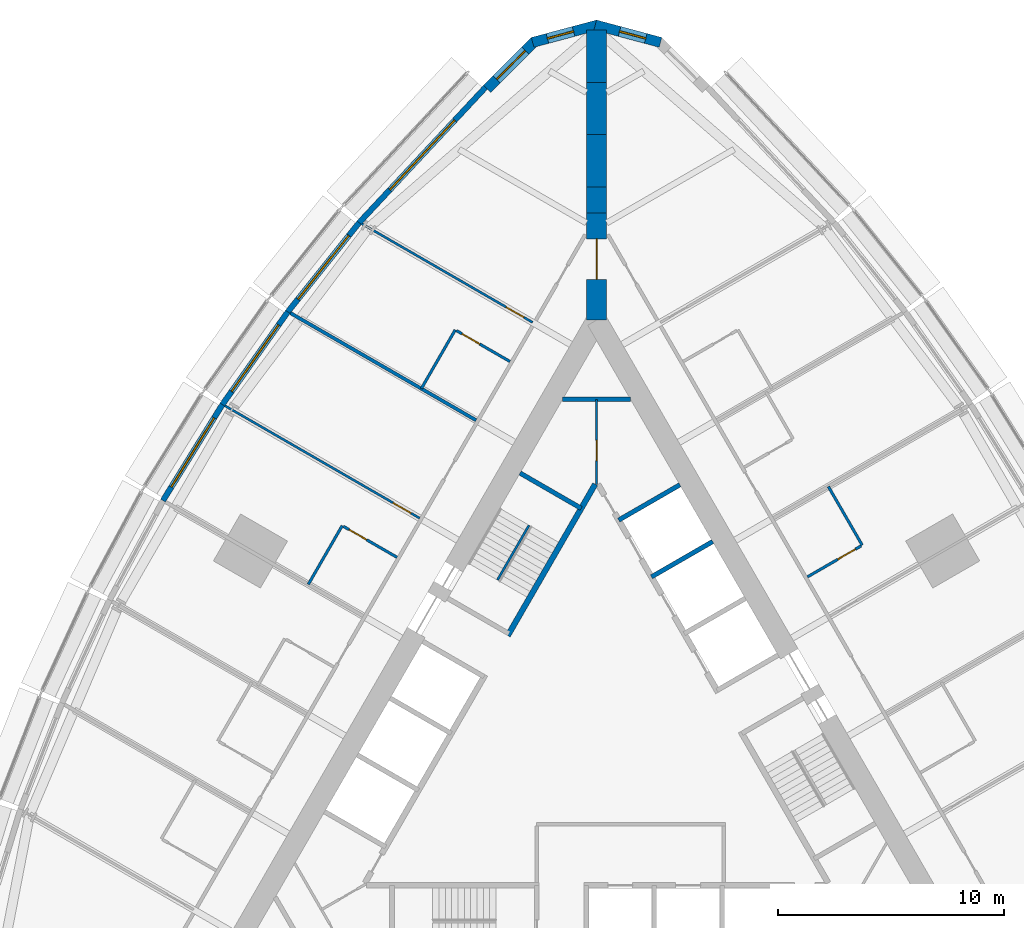
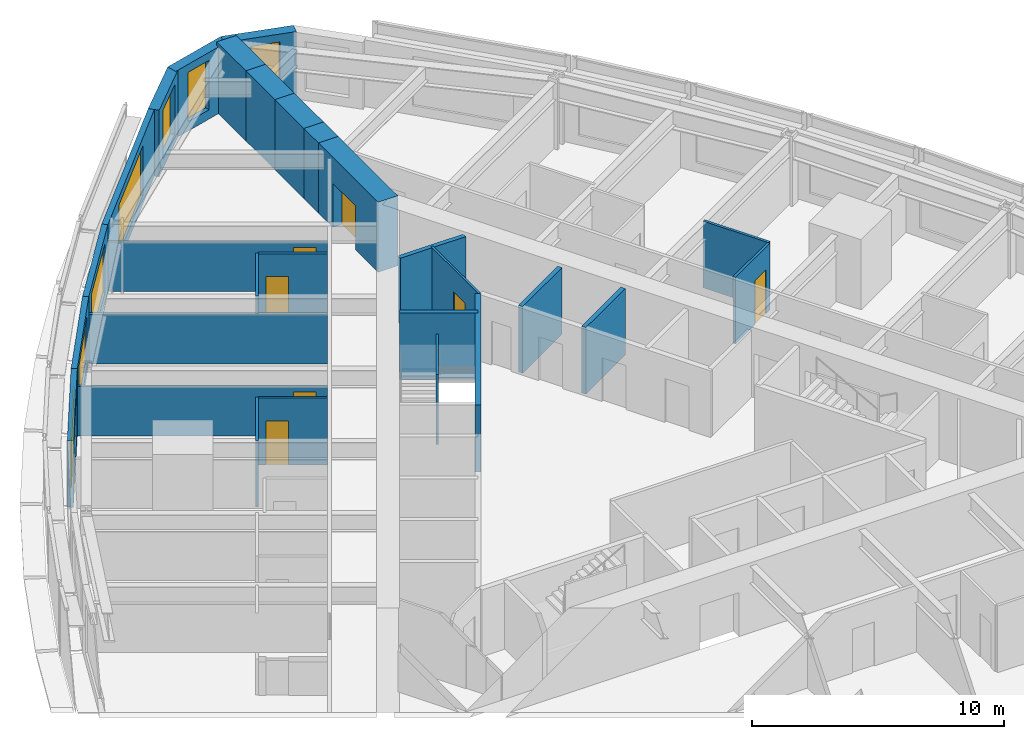
# One storey, part 12 of 14: 28 walls, 7 doors, 7 windows, 14 openings.
"""IFC4 building model written with IfcOpenShell, lengths in metres."""

from ifc_helpers import new_model, si_unit, direction, frame, frame_2d, origin, place, context, subcontext, project, spatial, polyline, rectangle, outline, extrude, material, layer, layer_set, type_object, element, fill, save


model = new_model("IFC4")

# Units and contexts
model_context = context("Model", 3, precision=1e-05, world=origin(), true_north=direction((0.0, 1.0)))
body_context = subcontext(model_context, "Body", "Model", "MODEL_VIEW")
ifc_project = project(units=[si_unit("LENGTHUNIT", "METRE"), si_unit("AREAUNIT", "SQUARE_METRE"), si_unit("VOLUMEUNIT", "CUBIC_METRE"), si_unit("PLANEANGLEUNIT", "RADIAN"), si_unit("MASSUNIT", "GRAM", prefix="KILO")], contexts=[model_context])

# Site, building, storey
site_placement = place(None, origin())
site = spatial("IfcSite", under=ifc_project, at=site_placement, CompositionType="ELEMENT")
building_placement = place(site_placement, origin())
building = spatial("IfcBuilding", under=site, at=building_placement, Name="Trikona Tower", CompositionType="ELEMENT")
storey_placement = place(building_placement, frame((0.0, 0.0, 76.10009765625)))
storey = spatial("IfcBuildingStorey", under=building, at=storey_placement, Name="L19", CompositionType="ELEMENT", Elevation=76.10009765625)

# Wall
ifc_material_1 = material(Name="Metal stud and cement board", Category="gypsum")
ifc_layer_1 = layer(ifc_material_1, 0.1201171875)
ifc_layer_set_1 = layer_set([ifc_layer_1], Name="Bathroom wall 120")
wall_type_1 = type_object("IfcWallType", Name="Bathroom wall 120", PredefinedType="PLUMBINGWALL", material=ifc_layer_set_1)
wall_1_placement = place(storey_placement, frame((11.75341796875, 9.09521484375, 0.0), z_axis=(0.0, 0.0, 1.0), x_axis=(-0.499990139034, 0.866031096941, 0.0)))
element("IfcWall", 1, at=wall_1_placement, inside=storey, type_object=wall_type_1, Name="Bathroom wall 1909.1", PredefinedType="PLUMBINGWALL", context=body_context, shape_type="SweptSolid", body=[
    extrude(rectangle(XDim=3.0, YDim=0.1201171875, at=frame_2d((1.5, 0.0))), origin(), (0.0, 0.0, 1.0), 3.23486328125),
])

# Wall, opening, door
wall_2_placement = place(storey_placement, frame((9.32861328125, 7.6953125, 0.0), z_axis=(0.0, 0.0, 1.0), x_axis=(0.866035715982, 0.499982138324, 0.0)))
wall_2 = element("IfcWall", 2, at=wall_2_placement, inside=storey, type_object=wall_type_1, Name="Bathroom wall 1909.1", PredefinedType="PLUMBINGWALL", context=body_context, shape_type="SweptSolid", body=[
    extrude(rectangle(XDim=2.73974609375, YDim=0.1201171875, at=frame_2d((1.369873046875, 0.0))), origin(), (0.0, 0.0, 1.0), 3.23486328125),
])
opening_1_placement = place(wall_2_placement, frame((1.550048828125, 0.0, 0.0)))
opening_1 = element("IfcOpeningElement", 3, at=opening_1_placement, cuts=wall_2, Name="Opening D2", PredefinedType="OPENING", context=body_context, shape_type="SweptSolid", body=[
    extrude(rectangle(XDim=0.89990234375, YDim=2.1298828125, at=frame_2d((0.449951171875, 1.06494140625))), frame((0.0, 0.070068359375, 0.0), z_axis=(0.0, -1.0, 0.0), x_axis=(1.0, 0.0, 0.0)), (0.0, 0.0, 1.0), 0.14013671875),
])
ifc_material_2 = material(Name="Steel door frame with solid-core timber leaf", Category="steel")
door_type_1 = type_object("IfcDoorType", Name="Bathroom door 900x2130", OperationType="SLIDING_TO_LEFT", PredefinedType="DOOR", material=ifc_material_2)
door_1_placement = place(opening_1_placement, origin())
door_1 = element("IfcDoor", 4, at=door_1_placement, inside=storey, type_object=door_type_1, Name="Bathroom door 1909.1", OperationType="SLIDING_TO_LEFT", OverallHeight=2.1298828125, OverallWidth=0.89990234375, PredefinedType="DOOR", context=body_context, shape_type="SweptSolid", body=[
    extrude(rectangle(XDim=0.89990234375, YDim=2.1298828125, at=frame_2d((0.449951171875, 1.06494140625))), frame((0.0, 0.02490234375, 0.0), z_axis=(0.0, -1.0, 0.0), x_axis=(1.0, 0.0, 0.0)), (0.0, 0.0, 1.0), 0.050048828125),
])
fill(opening_1, door_1)

# Wall
wall_3_placement = place(storey_placement, frame((-6.25341796875, 18.62158203125, 0.0), z_axis=(0.0, 0.0, 1.0), x_axis=(-0.499990139034, -0.866031096941, 0.0)))
element("IfcWall", 5, at=wall_3_placement, inside=storey, type_object=wall_type_1, Name="Bathroom wall 1912.1", PredefinedType="PLUMBINGWALL", context=body_context, shape_type="SweptSolid", body=[
    extrude(rectangle(XDim=3.0, YDim=0.1201171875, at=frame_2d((1.5, 0.0))), origin(), (0.0, 0.0, 1.0), 3.23486328125),
])

# Wall, opening, door
wall_4_placement = place(storey_placement, frame((-3.82861328125, 17.221435546875, 0.0), z_axis=(0.0, 0.0, 1.0), x_axis=(-0.865997131366, 0.500048966069, 0.0)))
wall_4 = element("IfcWall", 6, at=wall_4_placement, inside=storey, type_object=wall_type_1, Name="Bathroom wall 1912.1", PredefinedType="PLUMBINGWALL", context=body_context, shape_type="SweptSolid", body=[
    extrude(rectangle(XDim=2.739990234375, YDim=0.1201171875, at=frame_2d((1.3701171875, 0.0))), origin(), (0.0, 0.0, 1.0), 3.23486328125),
])
opening_2_placement = place(wall_4_placement, frame((1.550048828125, 0.0, 0.0)))
opening_2 = element("IfcOpeningElement", 7, at=opening_2_placement, cuts=wall_4, Name="Opening D2", PredefinedType="OPENING", context=body_context, shape_type="SweptSolid", body=[
    extrude(rectangle(XDim=0.89990234375, YDim=2.1298828125, at=frame_2d((0.449951171875, 1.06494140625))), frame((0.0, 0.070068359375, 0.0), z_axis=(0.0, -1.0, 0.0), x_axis=(1.0, 0.0, 0.0)), (0.0, 0.0, 1.0), 0.14013671875),
])
door_2_placement = place(opening_2_placement, origin())
door_2 = element("IfcDoor", 8, at=door_2_placement, inside=storey, type_object=door_type_1, Name="Bathroom door 1912.1", OperationType="SLIDING_TO_LEFT", OverallHeight=2.1298828125, OverallWidth=0.89990234375, PredefinedType="DOOR", context=body_context, shape_type="SweptSolid", body=[
    extrude(rectangle(XDim=0.89990234375, YDim=2.1298828125, at=frame_2d((0.449951171875, 1.06494140625))), frame((0.0, 0.02490234375, 0.0), z_axis=(0.0, -1.0, 0.0), x_axis=(1.0, 0.0, 0.0)), (0.0, 0.0, 1.0), 0.050048828125),
])
fill(opening_2, door_2)

# Wall
wall_5_placement = place(storey_placement, frame((-11.25341796875, 9.961181640625, 0.0), z_axis=(0.0, 0.0, 1.0), x_axis=(-0.499990139034, -0.866031096941, 0.0)))
element("IfcWall", 9, at=wall_5_placement, inside=storey, type_object=wall_type_1, Name="Bathroom wall 1913.1", PredefinedType="PLUMBINGWALL", context=body_context, shape_type="SweptSolid", body=[
    extrude(rectangle(XDim=3.0, YDim=0.1201171875, at=frame_2d((1.5, 0.0))), origin(), (0.0, 0.0, 1.0), 3.23486328125),
])

# Wall, opening, door
wall_6_placement = place(storey_placement, frame((-8.82861328125, 8.561279296875, 0.0), z_axis=(0.0, 0.0, 1.0), x_axis=(-0.866035715982, 0.499982138324, 0.0)))
wall_6 = element("IfcWall", 10, at=wall_6_placement, inside=storey, type_object=wall_type_1, Name="Bathroom wall 1913.1", PredefinedType="PLUMBINGWALL", context=body_context, shape_type="SweptSolid", body=[
    extrude(rectangle(XDim=2.73974609375, YDim=0.1201171875, at=frame_2d((1.369873046875, 0.0))), origin(), (0.0, 0.0, 1.0), 3.23486328125),
])
opening_3_placement = place(wall_6_placement, frame((1.550048828125, 0.0, 0.0)))
opening_3 = element("IfcOpeningElement", 11, at=opening_3_placement, cuts=wall_6, Name="Opening D2", PredefinedType="OPENING", context=body_context, shape_type="SweptSolid", body=[
    extrude(rectangle(XDim=0.89990234375, YDim=2.1298828125, at=frame_2d((0.449951171875, 1.06494140625))), frame((0.0, 0.070068359375, 0.0), z_axis=(0.0, -1.0, 0.0), x_axis=(1.0, 0.0, 0.0)), (0.0, 0.0, 1.0), 0.14013671875),
])
door_3_placement = place(opening_3_placement, origin())
door_3 = element("IfcDoor", 12, at=door_3_placement, inside=storey, type_object=door_type_1, Name="Bathroom door 1913.1", OperationType="SLIDING_TO_LEFT", OverallHeight=2.1298828125, OverallWidth=0.89990234375, PredefinedType="DOOR", context=body_context, shape_type="SweptSolid", body=[
    extrude(rectangle(XDim=0.89990234375, YDim=2.1298828125, at=frame_2d((0.449951171875, 1.06494140625))), frame((0.0, 0.02490234375, 0.0), z_axis=(0.0, -1.0, 0.0), x_axis=(1.0, 0.0, 0.0)), (0.0, 0.0, 1.0), 0.050048828125),
])
fill(opening_3, door_3)

# Wall, opening, window
ifc_material_3 = material(Name="Brick-faced precast concrete", Category="masonry")
ifc_layer_2 = layer(ifc_material_3, 0.449951171875)
ifc_layer_set_2 = layer_set([ifc_layer_2], Name="Brick-faced corner wall 450")
wall_type_2 = type_object("IfcWallType", Name="Brick-faced corner wall 450", PredefinedType="SOLIDWALL", material=ifc_layer_set_2)
wall_7_placement = place(storey_placement, frame((2.82861328125, 31.3408203125, 0.0), z_axis=(0.0, 0.0, 1.0), x_axis=(-0.965930548995, 0.258801419081, 0.0)))
wall_7 = element("IfcWall", 13, at=wall_7_placement, inside=storey, type_object=wall_type_2, Name="External wall L19-21", PredefinedType="SOLIDWALL", context=body_context, shape_type="SweptSolid", body=[
    extrude(outline(polyline([(2.988525390625, 0.22509765625), (2.92919921875, 0.22509765625), (2.4375, 0.09326171875), (2.40234375, 0.22509765625), (0.0, 0.22509765625), (0.0, -0.22509765625), (2.988525390625, -0.22509765625), (2.988525390625, 0.22509765625)])), origin(), (0.0, 0.0, 1.0), 3.23486328125),
])
opening_4_placement = place(wall_7_placement, frame((0.676025390625, 0.0, 0.449951171875)))
opening_4 = element("IfcOpeningElement", 14, at=opening_4_placement, cuts=wall_7, Name="Opening W1224", PredefinedType="OPENING", context=body_context, shape_type="SweptSolid", body=[
    extrude(rectangle(XDim=1.199951171875, YDim=2.39990234375, at=frame_2d((0.60009765625, 1.199951171875))), frame((0.0, 0.23486328125, 0.0), z_axis=(0.0, -1.0, 0.0), x_axis=(1.0, 0.0, 0.0)), (0.0, 0.0, 1.0), 0.469970703125),
])
ifc_material_4 = material(Name="Aluminium-framed double glazing", Category="aluminium")
window_type_1 = type_object("IfcWindowType", Name="Window 1200x2400", PartitioningType="SINGLE_PANEL", PredefinedType="WINDOW", material=ifc_material_4)
window_1_placement = place(opening_4_placement, origin())
window_1 = element("IfcWindow", 15, at=window_1_placement, inside=storey, type_object=window_type_1, Name="Window 1911", OverallHeight=2.39990234375, OverallWidth=1.199951171875, PartitioningType="SINGLE_PANEL", PredefinedType="WINDOW", context=body_context, shape_type="SweptSolid", body=[
    extrude(rectangle(XDim=1.199951171875, YDim=2.39990234375, at=frame_2d((0.60009765625, 1.199951171875))), frame((0.0, 0.030029296875, 0.0), z_axis=(0.0, -1.0, 0.0), x_axis=(1.0, 0.0, 0.0)), (0.0, 0.0, 1.0), 0.06005859375),
])
fill(opening_4, window_1)

wall_8_placement = place(storey_placement, frame((0.05810546875, 32.1142578125, 0.0), z_axis=(0.0, 0.0, 1.0), x_axis=(-0.965930548995, -0.258801419081, 0.0)))
wall_8 = element("IfcWall", 16, at=wall_8_placement, inside=storey, type_object=wall_type_2, Name="External wall L19-22", PredefinedType="SOLIDWALL", context=body_context, shape_type="SweptSolid", body=[
    extrude(outline(polyline([(2.988525390625, 0.22509765625), (0.58642578125, 0.22509765625), (0.551025390625, 0.09326171875), (0.059326171875, 0.22509765625), (0.0, 0.22509765625), (0.0, -0.22509765625), (2.988525390625, -0.22509765625), (2.988525390625, 0.22509765625)])), origin(), (0.0, 0.0, 1.0), 3.23486328125),
])
opening_5_placement = place(wall_8_placement, frame((1.112548828125, 0.0, 0.449951171875)))
opening_5 = element("IfcOpeningElement", 17, at=opening_5_placement, cuts=wall_8, Name="Opening W1224", PredefinedType="OPENING", context=body_context, shape_type="SweptSolid", body=[
    extrude(rectangle(XDim=1.199951171875, YDim=2.39990234375, at=frame_2d((0.60009765625, 1.199951171875))), frame((0.0, 0.23486328125, 0.0), z_axis=(0.0, -1.0, 0.0), x_axis=(1.0, 0.0, 0.0)), (0.0, 0.0, 1.0), 0.469970703125),
])
window_2_placement = place(opening_5_placement, origin())
window_2 = element("IfcWindow", 18, at=window_2_placement, inside=storey, type_object=window_type_1, Name="Window 1912", OverallHeight=2.39990234375, OverallWidth=1.199951171875, PartitioningType="SINGLE_PANEL", PredefinedType="WINDOW", context=body_context, shape_type="SweptSolid", body=[
    extrude(rectangle(XDim=1.199951171875, YDim=2.39990234375, at=frame_2d((0.60009765625, 1.199951171875))), frame((0.0, 0.030029296875, 0.0), z_axis=(0.0, -1.0, 0.0), x_axis=(1.0, 0.0, 0.0)), (0.0, 0.0, 1.0), 0.06005859375),
])
fill(opening_5, window_2)

wall_9_placement = place(storey_placement, frame((-2.727783203125, 31.39892578125, 0.0), z_axis=(0.0, 0.0, 1.0), x_axis=(-0.707106781187, -0.707106781187, 0.0)))
wall_9 = element("IfcWall", 19, at=wall_9_placement, inside=storey, type_object=wall_type_2, Name="External wall L19-23", PredefinedType="SOLIDWALL", context=body_context, shape_type="SweptSolid", body=[
    extrude(rectangle(XDim=2.98828125, YDim=0.449951171875, at=frame_2d((1.494140625, 0.0))), origin(), (0.0, 0.0, 1.0), 3.23486328125),
])
opening_6_placement = place(wall_9_placement, frame((0.59423828125, 0.0, 0.449951171875)))
opening_6 = element("IfcOpeningElement", 20, at=opening_6_placement, cuts=wall_9, Name="Opening W1824", PredefinedType="OPENING", context=body_context, shape_type="SweptSolid", body=[
    extrude(rectangle(XDim=1.800048828125, YDim=2.39990234375, at=frame_2d((0.89990234375, 1.199951171875))), frame((0.0, 0.23486328125, 0.0), z_axis=(0.0, -1.0, 0.0), x_axis=(1.0, 0.0, 0.0)), (0.0, 0.0, 1.0), 0.469970703125),
])
ifc_material_5 = material(Name="Aluminium-framed double glazing", Category="aluminium")
window_type_2 = type_object("IfcWindowType", Name="Window 1800x2400", PartitioningType="SINGLE_PANEL", PredefinedType="WINDOW", material=ifc_material_5)
window_3_placement = place(opening_6_placement, origin())
window_3 = element("IfcWindow", 21, at=window_3_placement, inside=storey, type_object=window_type_2, Name="Window 1912", OverallHeight=2.39990234375, OverallWidth=1.800048828125, PartitioningType="SINGLE_PANEL", PredefinedType="WINDOW", context=body_context, shape_type="SweptSolid", body=[
    extrude(rectangle(XDim=1.800048828125, YDim=2.39990234375, at=frame_2d((0.89990234375, 1.199951171875))), frame((0.0, 0.030029296875, 0.0), z_axis=(0.0, -1.0, 0.0), x_axis=(1.0, 0.0, 0.0)), (0.0, 0.0, 1.0), 0.06005859375),
])
fill(opening_6, window_3)

# Wall, opening, door
ifc_material_6 = material(Name="Concrete f'c 10000 psi", Category="concrete")
ifc_layer_3 = layer(ifc_material_6, 0.89990234375)
ifc_layer_set_3 = layer_set([ifc_layer_3], Name="Buttress wall 900")
wall_type_3 = type_object("IfcWallType", Name="Buttress wall 900", PredefinedType="SHEAR", material=ifc_layer_set_3)
wall_10_placement = place(storey_placement, frame((0.0, 19.052490234375, 0.0), z_axis=(0.0, 0.0, 1.0), x_axis=(0.0, 1.0, 0.0)))
wall_10 = element("IfcWall", 22, at=wall_10_placement, inside=storey, type_object=wall_type_3, Name="Buttress wall 2", PredefinedType="SHEAR", context=body_context, shape_type="SweptSolid", body=[
    extrude(rectangle(XDim=4.74609375, YDim=0.89990234375, at=frame_2d((2.373046875, 0.0))), origin(), (0.0, 0.0, 1.0), 3.39990234375),
])
opening_7_placement = place(wall_10_placement, frame((1.800048828125, 0.0, 0.0)))
opening_7 = element("IfcOpeningElement", 23, at=opening_7_placement, cuts=wall_10, Name="Opening D10", PredefinedType="OPENING", context=body_context, shape_type="SweptSolid", body=[
    extrude(rectangle(XDim=1.800048828125, YDim=2.1298828125, at=frame_2d((0.89990234375, 1.06494140625))), frame((0.0, 0.4599609375, 0.0), z_axis=(0.0, -1.0, 0.0), x_axis=(1.0, 0.0, 0.0)), (0.0, 0.0, 1.0), 0.919921875),
])
ifc_material_7 = material(Name="Hollow metal door and frame", Category="steel")
door_type_2 = type_object("IfcDoorType", Name="Cross-corridor door pair 1800x2130", OperationType="DOUBLE_DOOR_DOUBLE_SWING", PredefinedType="DOOR", material=ifc_material_7)
door_4_placement = place(opening_7_placement, origin())
door_4 = element("IfcDoor", 24, at=door_4_placement, inside=storey, type_object=door_type_2, Name="Cross-corridor door 2", OperationType="DOUBLE_DOOR_DOUBLE_SWING", OverallHeight=2.1298828125, OverallWidth=1.800048828125, PredefinedType="DOOR", context=body_context, shape_type="SweptSolid", body=[
    extrude(rectangle(XDim=1.800048828125, YDim=2.1298828125, at=frame_2d((0.89990234375, 1.06494140625))), frame((0.0, 0.02490234375, 0.0), z_axis=(0.0, -1.0, 0.0), x_axis=(1.0, 0.0, 0.0)), (0.0, 0.0, 1.0), 0.050048828125),
])
fill(opening_7, door_4)

# Walls
wall_11_placement = place(storey_placement, frame((0.0, 23.798583984375, 0.0), z_axis=(0.0, 0.0, 1.0), x_axis=(0.0, 1.0, 0.0)))
element("IfcWall", 25, at=wall_11_placement, inside=storey, type_object=wall_type_3, Name="Buttress wall 2 part 2", PredefinedType="SHEAR", context=body_context, shape_type="SweptSolid", body=[
    extrude(rectangle(XDim=1.15478515625, YDim=0.89990234375, at=frame_2d((0.577392578125, 0.0))), origin(), (0.0, 0.0, 1.0), 3.39990234375),
])
wall_12_placement = place(storey_placement, frame((0.0, 24.953369140625, 0.0), z_axis=(0.0, 0.0, 1.0), x_axis=(0.0, 1.0, 0.0)))
element("IfcWall", 26, at=wall_12_placement, inside=storey, type_object=wall_type_3, Name="Buttress wall 2 part 3", PredefinedType="SHEAR", context=body_context, shape_type="SweptSolid", body=[
    extrude(rectangle(XDim=2.309326171875, YDim=0.89990234375, at=frame_2d((1.15478515625, 0.0))), origin(), (0.0, 0.0, 1.0), 3.39990234375),
])
wall_13_placement = place(storey_placement, frame((0.0, 27.2626953125, 0.0), z_axis=(0.0, 0.0, 1.0), x_axis=(0.0, 1.0, 0.0)))
element("IfcWall", 27, at=wall_13_placement, inside=storey, type_object=wall_type_3, Name="Buttress wall 2 part 4", PredefinedType="SHEAR", context=body_context, shape_type="SweptSolid", body=[
    extrude(rectangle(XDim=2.3095703125, YDim=0.89990234375, at=frame_2d((1.15478515625, 0.0))), origin(), (0.0, 0.0, 1.0), 3.39990234375),
])
wall_14_placement = place(storey_placement, frame((0.0, 29.572265625, 0.0), z_axis=(0.0, 0.0, 1.0), x_axis=(0.0, 1.0, 0.0)))
element("IfcWall", 28, at=wall_14_placement, inside=storey, type_object=wall_type_3, Name="Buttress wall 2 part 5", PredefinedType="SHEAR", context=body_context, shape_type="SweptSolid", body=[
    extrude(rectangle(XDim=2.309326171875, YDim=0.89990234375, at=frame_2d((1.15478515625, 0.0))), origin(), (0.0, 0.0, 1.0), 3.39990234375),
])
ifc_material_8 = material(Name="Concrete f'c 8000 psi", Category="concrete")
ifc_layer_4 = layer(ifc_material_8, 0.25)
ifc_layer_set_4 = layer_set([ifc_layer_4], Name="Hub wall 250")
wall_type_4 = type_object("IfcWallType", Name="Hub wall 250", PredefinedType="SOLIDWALL", material=ifc_layer_set_4)
wall_15_placement = place(storey_placement, frame((-0.0625, 11.794189453125, 0.0), z_axis=(0.0, 0.0, 1.0), x_axis=(-0.500006680225, -0.86602154692, 0.0)))
element("IfcWall", 29, at=wall_15_placement, inside=storey, type_object=wall_type_4, Name="Lift lobby wall C1", PredefinedType="SOLIDWALL", context=body_context, shape_type="SweptSolid", body=[
    extrude(rectangle(XDim=7.73291015625, YDim=0.25, at=frame_2d((3.866455078125, 0.0))), origin(), (0.0, 0.0, 1.0), 3.23486328125),
])

# Wall, opening, window
ifc_material_9 = material(Name="Insulated precast concrete spandrel panel", Category="concrete")
ifc_layer_5 = layer(ifc_material_9, 0.25)
ifc_layer_set_5 = layer_set([ifc_layer_5], Name="Inner skin wall 250")
wall_type_5 = type_object("IfcWallType", Name="Inner skin wall 250", PredefinedType="STANDARD", material=ifc_layer_set_5)
wall_16_placement = place(storey_placement, frame((-4.90869140625, 29.359619140625, 0.0), z_axis=(0.0, 0.0, 1.0), x_axis=(-0.682289646561, -0.731081964075, 0.0)))
wall_16 = element("IfcWall", 30, at=wall_16_placement, inside=storey, type_object=wall_type_5, Name="External wall L19-24", PredefinedType="STANDARD", context=body_context, shape_type="SweptSolid", body=[
    extrude(rectangle(XDim=8.2109375, YDim=0.25, at=frame_2d((4.10546875, 0.0))), origin(), (0.0, 0.0, 1.0), 3.23486328125),
])
opening_8_placement = place(wall_16_placement, frame((2.005615234375, 0.0, 0.449951171875)))
opening_8 = element("IfcOpeningElement", 31, at=opening_8_placement, cuts=wall_16, Name="Opening W4224", PredefinedType="OPENING", context=body_context, shape_type="SweptSolid", body=[
    extrude(rectangle(XDim=4.199951171875, YDim=2.39990234375, at=frame_2d((2.10009765625, 1.199951171875))), frame((0.0, 0.135009765625, 0.0), z_axis=(0.0, -1.0, 0.0), x_axis=(1.0, 0.0, 0.0)), (0.0, 0.0, 1.0), 0.27001953125),
])
ifc_material_10 = material(Name="Aluminium-framed double glazing", Category="aluminium")
window_type_3 = type_object("IfcWindowType", Name="Window 4200x2400", PartitioningType="SINGLE_PANEL", PredefinedType="WINDOW", material=ifc_material_10)
window_4_placement = place(opening_8_placement, origin())
window_4 = element("IfcWindow", 32, at=window_4_placement, inside=storey, type_object=window_type_3, Name="Window 1912", OverallHeight=2.39990234375, OverallWidth=4.199951171875, PartitioningType="SINGLE_PANEL", PredefinedType="WINDOW", context=body_context, shape_type="SweptSolid", body=[
    extrude(rectangle(XDim=4.199951171875, YDim=2.39990234375, at=frame_2d((2.10009765625, 1.199951171875))), frame((0.0, 0.030029296875, 0.0), z_axis=(0.0, -1.0, 0.0), x_axis=(1.0, 0.0, 0.0)), (0.0, 0.0, 1.0), 0.06005859375),
])
fill(opening_8, window_4)

wall_17_placement = place(storey_placement, frame((-10.5048828125, 23.36376953125, 0.0), z_axis=(0.0, 0.0, 1.0), x_axis=(-0.624594965756, -0.780948864364, 0.0)))
wall_17 = element("IfcWall", 33, at=wall_17_placement, inside=storey, type_object=wall_type_5, Name="External wall L19-25", PredefinedType="STANDARD", context=body_context, shape_type="SweptSolid", body=[
    extrude(rectangle(XDim=5.0576171875, YDim=0.25, at=frame_2d((2.52880859375, 0.0))), origin(), (0.0, 0.0, 1.0), 3.23486328125),
])
opening_9_placement = place(wall_17_placement, frame((0.728759765625, 0.0, 0.449951171875)))
opening_9 = element("IfcOpeningElement", 34, at=opening_9_placement, cuts=wall_17, Name="Opening W3624", PredefinedType="OPENING", context=body_context, shape_type="SweptSolid", body=[
    extrude(rectangle(XDim=3.60009765625, YDim=2.39990234375, at=frame_2d((1.800048828125, 1.199951171875))), frame((0.0, 0.135009765625, 0.0), z_axis=(0.0, -1.0, 0.0), x_axis=(1.0, 0.0, 0.0)), (0.0, 0.0, 1.0), 0.27001953125),
])
ifc_material_11 = material(Name="Aluminium-framed double glazing", Category="aluminium")
window_type_4 = type_object("IfcWindowType", Name="Window 3600x2400", PartitioningType="SINGLE_PANEL", PredefinedType="WINDOW", material=ifc_material_11)
window_5_placement = place(opening_9_placement, origin())
window_5 = element("IfcWindow", 35, at=window_5_placement, inside=storey, type_object=window_type_4, Name="Window 1912.1", OverallHeight=2.39990234375, OverallWidth=3.60009765625, PartitioningType="SINGLE_PANEL", PredefinedType="WINDOW", context=body_context, shape_type="SweptSolid", body=[
    extrude(rectangle(XDim=3.60009765625, YDim=2.39990234375, at=frame_2d((1.800048828125, 1.199951171875))), frame((0.0, 0.030029296875, 0.0), z_axis=(0.0, -1.0, 0.0), x_axis=(1.0, 0.0, 0.0)), (0.0, 0.0, 1.0), 0.06005859375),
])
fill(opening_9, window_5)

wall_18_placement = place(storey_placement, frame((-13.659423828125, 19.420166015625, 0.0), z_axis=(0.0, 0.0, 1.0), x_axis=(-0.5766431066, -0.81699616132, 0.0)))
wall_18 = element("IfcWall", 36, at=wall_18_placement, inside=storey, type_object=wall_type_5, Name="External wall L19-26", PredefinedType="STANDARD", context=body_context, shape_type="SweptSolid", body=[
    extrude(rectangle(XDim=5.02099609375, YDim=0.25, at=frame_2d((2.510498046875, 0.0))), origin(), (0.0, 0.0, 1.0), 3.23486328125),
])
opening_10_placement = place(wall_18_placement, frame((0.71044921875, 0.0, 0.449951171875)))
opening_10 = element("IfcOpeningElement", 37, at=opening_10_placement, cuts=wall_18, Name="Opening W3624", PredefinedType="OPENING", context=body_context, shape_type="SweptSolid", body=[
    extrude(rectangle(XDim=3.60009765625, YDim=2.39990234375, at=frame_2d((1.800048828125, 1.199951171875))), frame((0.0, 0.135009765625, 0.0), z_axis=(0.0, -1.0, 0.0), x_axis=(1.0, 0.0, 0.0)), (0.0, 0.0, 1.0), 0.27001953125),
])
window_6_placement = place(opening_10_placement, origin())
window_6 = element("IfcWindow", 38, at=window_6_placement, inside=storey, type_object=window_type_4, Name="Window 1913", OverallHeight=2.39990234375, OverallWidth=3.60009765625, PartitioningType="SINGLE_PANEL", PredefinedType="WINDOW", context=body_context, shape_type="SweptSolid", body=[
    extrude(rectangle(XDim=3.60009765625, YDim=2.39990234375, at=frame_2d((1.800048828125, 1.199951171875))), frame((0.0, 0.030029296875, 0.0), z_axis=(0.0, -1.0, 0.0), x_axis=(1.0, 0.0, 0.0)), (0.0, 0.0, 1.0), 0.06005859375),
])
fill(opening_10, window_6)

wall_19_placement = place(storey_placement, frame((-16.550537109375, 15.324462890625, 0.0), z_axis=(0.0, 0.0, 1.0), x_axis=(-0.526132807704, -0.850402415717, 0.0)))
wall_19 = element("IfcWall", 39, at=wall_19_placement, inside=storey, type_object=wall_type_5, Name="External wall L19-27", PredefinedType="STANDARD", context=body_context, shape_type="SweptSolid", body=[
    extrude(rectangle(XDim=5.002197265625, YDim=0.25, at=frame_2d((2.5009765625, 0.0))), origin(), (0.0, 0.0, 1.0), 3.23486328125),
])
opening_11_placement = place(wall_19_placement, frame((0.701171875, 0.0, 0.449951171875)))
opening_11 = element("IfcOpeningElement", 40, at=opening_11_placement, cuts=wall_19, Name="Opening W3624", PredefinedType="OPENING", context=body_context, shape_type="SweptSolid", body=[
    extrude(rectangle(XDim=3.60009765625, YDim=2.39990234375, at=frame_2d((1.800048828125, 1.199951171875))), frame((0.0, 0.135009765625, 0.0), z_axis=(0.0, -1.0, 0.0), x_axis=(1.0, 0.0, 0.0)), (0.0, 0.0, 1.0), 0.27001953125),
])
window_7_placement = place(opening_11_placement, origin())
window_7 = element("IfcWindow", 41, at=window_7_placement, inside=storey, type_object=window_type_4, Name="Window 1913.1", OverallHeight=2.39990234375, OverallWidth=3.60009765625, PartitioningType="SINGLE_PANEL", PredefinedType="WINDOW", context=body_context, shape_type="SweptSolid", body=[
    extrude(rectangle(XDim=3.60009765625, YDim=2.39990234375, at=frame_2d((1.800048828125, 1.199951171875))), frame((0.0, 0.030029296875, 0.0), z_axis=(0.0, -1.0, 0.0), x_axis=(1.0, 0.0, 0.0)), (0.0, 0.0, 1.0), 0.06005859375),
])
fill(opening_11, window_7)

# Walls
ifc_material_12 = material(Name="Metal stud and gypsum board, 1-hour acoustic", Category="gypsum")
ifc_layer_6 = layer(ifc_material_12, 0.14990234375)
ifc_layer_set_6 = layer_set([ifc_layer_6], Name="Party wall 150")
wall_type_6 = type_object("IfcWallType", Name="Party wall 150", PredefinedType="PARTITIONING", material=ifc_layer_set_6)
wall_20_placement = place(storey_placement, frame((-5.32861328125, 14.623291015625, 0.0), z_axis=(0.0, 0.0, 1.0), x_axis=(-0.866018409083, 0.500012114982, 0.0)))
element("IfcWall", 42, at=wall_20_placement, inside=storey, type_object=wall_type_6, Name="Partition L19 F3 u-10", PredefinedType="PARTITIONING", context=body_context, shape_type="SweptSolid", body=[
    extrude(rectangle(XDim=9.484619140625, YDim=0.14990234375, at=frame_2d((4.7421875, 0.0))), origin(), (0.0, 0.0, 1.0), 2.38916015625),
])
ifc_material_13 = material(Name="Concrete f'c 8000 psi", Category="concrete")
ifc_layer_7 = layer(ifc_material_13, 0.199951171875)
ifc_layer_set_7 = layer_set([ifc_layer_7], Name="Shaft wall 200")
wall_type_7 = type_object("IfcWallType", Name="Shaft wall 200", PredefinedType="SOLIDWALL", material=ifc_layer_set_7)
for number, where, z_axis, x_axis, name in (
    (43, (2.428955078125, 7.695556640625, 0.0), (0.0, 0.0, 1.0), (0.866022959057, 0.500004234368, 0.0), "Shaft wall B5"),
    (44, (0.97900390625, 10.20703125, 0.0), (0.0, 0.0, 1.0), (0.866022959057, 0.500004234368, 0.0), "Shaft wall B6"),
):
    element("IfcWall", number, at=place(storey_placement, frame(where, z_axis=z_axis, x_axis=x_axis)), inside=storey, type_object=wall_type_7, Name=name, PredefinedType="SOLIDWALL", context=body_context, shape_type="SweptSolid", body=[
        extrude(rectangle(XDim=3.125, YDim=0.199951171875, at=frame_2d((1.5625, 0.0))), origin(), (0.0, 0.0, 1.0), 3.23486328125),
    ])
wall_21_placement = place(storey_placement, frame((-1.501220703125, 15.552490234375, 0.0), z_axis=(0.0, 0.0, 1.0), x_axis=(1.0, 0.0, 0.0)))
element("IfcWall", 45, at=wall_21_placement, inside=storey, type_object=wall_type_7, Name="Riser wall L19-RS2", PredefinedType="SOLIDWALL", context=body_context, shape_type="SweptSolid", body=[
    extrude(rectangle(XDim=3.00244140625, YDim=0.199951171875, at=frame_2d((1.501220703125, 0.0))), origin(), (0.0, 0.0, 1.0), 3.23486328125),
])
ifc_material_14 = material(Name="Concrete f'c 8000 psi", Category="concrete")
ifc_layer_8 = layer(ifc_material_14, 0.199951171875)
ifc_layer_set_8 = layer_set([ifc_layer_8], Name="Shaft wall 200 load-bearing")
wall_type_8 = type_object("IfcWallType", Name="Shaft wall 200 load-bearing", PredefinedType="SOLIDWALL", material=ifc_layer_set_8)
wall_22_placement = place(storey_placement, frame((-0.678955078125, 10.7265625, 0.0), z_axis=(0.0, 0.0, 1.0), x_axis=(-0.866022959057, 0.500004234368, 0.0)))
element("IfcWall", 46, at=wall_22_placement, inside=storey, type_object=wall_type_8, Name="Shaft wall C1", PredefinedType="SOLIDWALL", context=body_context, shape_type="SweptSolid", body=[
    extrude(rectangle(XDim=3.125, YDim=0.199951171875, at=frame_2d((1.5625, 0.0))), origin(), (0.0, 0.0, 1.0), 3.23486328125),
])
ifc_material_15 = material(Name="Concrete f'c 5000 psi", Category="concrete")
ifc_layer_9 = layer(ifc_material_15, 0.10009765625)
ifc_layer_set_9 = layer_set([ifc_layer_9], Name="Stair spine wall 100")
wall_type_9 = type_object("IfcWallType", Name="Stair spine wall 100", PredefinedType="SOLIDWALL", material=ifc_layer_set_9)
wall_23_placement = place(storey_placement, frame((-2.98779296875, 9.9775390625, 0.0), z_axis=(0.0, 0.0, 1.0), x_axis=(-0.499992232847, -0.866029888106, 0.0)))
element("IfcWall", 47, at=wall_23_placement, inside=storey, type_object=wall_type_9, Name="Stair C spine wall L19", PredefinedType="SOLIDWALL", context=body_context, shape_type="SweptSolid", body=[
    extrude(rectangle(XDim=2.7939453125, YDim=0.10009765625, at=frame_2d((1.39697265625, 0.0))), origin(), (0.0, 0.0, 1.0), 3.39990234375),
])

# Wall, opening, door
ifc_material_16 = material(Name="Metal stud and gypsum board, acoustic", Category="gypsum")
ifc_layer_10 = layer(ifc_material_16, 0.10009765625)
ifc_layer_set_10 = layer_set([ifc_layer_10], Name="Suite partition 100")
wall_type_10 = type_object("IfcWallType", Name="Suite partition 100", PredefinedType="PARTITIONING", material=ifc_layer_set_10)
wall_24_placement = place(storey_placement, frame((-2.82861328125, 18.95361328125, 0.0), z_axis=(0.0, 0.0, 1.0), x_axis=(-0.866020536561, 0.500008430184, 0.0)))
wall_24 = element("IfcWall", 48, at=wall_24_placement, inside=storey, type_object=wall_type_10, Name="Suite partition L19 F3 u-15", PredefinedType="PARTITIONING", context=body_context, shape_type="SweptSolid", body=[
    extrude(rectangle(XDim=8.719970703125, YDim=0.10009765625, at=frame_2d((4.35986328125, 0.0))), origin(), (0.0, 0.0, 1.0), 2.38916015625),
])
opening_12_placement = place(wall_24_placement, frame((0.449951171875, 0.0, 0.0)))
opening_12 = element("IfcOpeningElement", 49, at=opening_12_placement, cuts=wall_24, Name="Opening D13", PredefinedType="OPENING", context=body_context, shape_type="SweptSolid", body=[
    extrude(rectangle(XDim=0.89990234375, YDim=2.1298828125, at=frame_2d((0.449951171875, 1.06494140625))), frame((0.0, 0.06005859375, 0.0), z_axis=(0.0, -1.0, 0.0), x_axis=(1.0, 0.0, 0.0)), (0.0, 0.0, 1.0), 0.1201171875),
])
ifc_material_17 = material(Name="Steel door frame with solid-core timber leaf", Category="steel")
door_type_3 = type_object("IfcDoorType", Name="Suite door 900x2130", OperationType="SINGLE_SWING_LEFT", PredefinedType="DOOR", material=ifc_material_17)
door_5_placement = place(opening_12_placement, origin())
door_5 = element("IfcDoor", 50, at=door_5_placement, inside=storey, type_object=door_type_3, Name="Suite door 1912", OperationType="SINGLE_SWING_LEFT", OverallHeight=2.1298828125, OverallWidth=0.89990234375, PredefinedType="DOOR", context=body_context, shape_type="SweptSolid", body=[
    extrude(rectangle(XDim=0.89990234375, YDim=2.1298828125, at=frame_2d((0.449951171875, 1.06494140625))), frame((0.0, 0.02490234375, 0.0), z_axis=(0.0, -1.0, 0.0), x_axis=(1.0, 0.0, 0.0)), (0.0, 0.0, 1.0), 0.050048828125),
])
fill(opening_12, door_5)

wall_25_placement = place(storey_placement, frame((-7.82861328125, 10.293212890625, 0.0), z_axis=(0.0, 0.0, 1.0), x_axis=(-0.866016302457, 0.50001576363, 0.0)))
wall_25 = element("IfcWall", 51, at=wall_25_placement, inside=storey, type_object=wall_type_10, Name="Suite partition L19 F3 u-5", PredefinedType="PARTITIONING", context=body_context, shape_type="SweptSolid", body=[
    extrude(rectangle(XDim=9.943115234375, YDim=0.10009765625, at=frame_2d((4.9716796875, 0.0))), origin(), (0.0, 0.0, 1.0), 2.38916015625),
])
opening_13_placement = place(wall_25_placement, frame((0.449951171875, 0.0, 0.0)))
opening_13 = element("IfcOpeningElement", 52, at=opening_13_placement, cuts=wall_25, Name="Opening D13", PredefinedType="OPENING", context=body_context, shape_type="SweptSolid", body=[
    extrude(rectangle(XDim=0.89990234375, YDim=2.1298828125, at=frame_2d((0.449951171875, 1.06494140625))), frame((0.0, 0.06005859375, 0.0), z_axis=(0.0, -1.0, 0.0), x_axis=(1.0, 0.0, 0.0)), (0.0, 0.0, 1.0), 0.1201171875),
])
door_6_placement = place(opening_13_placement, origin())
door_6 = element("IfcDoor", 53, at=door_6_placement, inside=storey, type_object=door_type_3, Name="Suite door 1913", OperationType="SINGLE_SWING_LEFT", OverallHeight=2.1298828125, OverallWidth=0.89990234375, PredefinedType="DOOR", context=body_context, shape_type="SweptSolid", body=[
    extrude(rectangle(XDim=0.89990234375, YDim=2.1298828125, at=frame_2d((0.449951171875, 1.06494140625))), frame((0.0, 0.02490234375, 0.0), z_axis=(0.0, -1.0, 0.0), x_axis=(1.0, 0.0, 0.0)), (0.0, 0.0, 1.0), 0.050048828125),
])
fill(opening_13, door_6)

wall_26_placement = place(storey_placement, frame((0.0, 15.552490234375, 0.0), z_axis=(0.0, 0.0, 1.0), x_axis=(0.0, -1.0, 0.0)))
wall_26 = element("IfcWall", 54, at=wall_26_placement, inside=storey, type_object=wall_type_10, Name="Store partition L19-RS2", PredefinedType="PARTITIONING", context=body_context, shape_type="SweptSolid", body=[
    extrude(rectangle(XDim=3.775146484375, YDim=0.10009765625, at=frame_2d((1.8876953125, 0.0))), origin(), (0.0, 0.0, 1.0), 3.23486328125),
])
opening_14_placement = place(wall_26_placement, frame((1.815185546875, 0.0, 0.0)))
opening_14 = element("IfcOpeningElement", 55, at=opening_14_placement, cuts=wall_26, Name="Opening D15", PredefinedType="OPENING", context=body_context, shape_type="SweptSolid", body=[
    extrude(rectangle(XDim=0.89990234375, YDim=2.1298828125, at=frame_2d((0.449951171875, 1.06494140625))), frame((0.0, 0.06005859375, 0.0), z_axis=(0.0, -1.0, 0.0), x_axis=(1.0, 0.0, 0.0)), (0.0, 0.0, 1.0), 0.1201171875),
])
ifc_material_18 = material(Name="Steel door frame with solid-core timber leaf", Category="steel")
door_type_4 = type_object("IfcDoorType", Name="Store door 900x2130", OperationType="SINGLE_SWING_LEFT", PredefinedType="DOOR", material=ifc_material_18)
door_7_placement = place(opening_14_placement, origin())
door_7 = element("IfcDoor", 56, at=door_7_placement, inside=storey, type_object=door_type_4, Name="Door Minibar store MBS", OperationType="SINGLE_SWING_RIGHT", OverallHeight=2.1298828125, OverallWidth=0.89990234375, PredefinedType="DOOR", context=body_context, shape_type="SweptSolid", body=[
    extrude(rectangle(XDim=0.89990234375, YDim=2.1298828125, at=frame_2d((0.449951171875, 1.06494140625))), frame((0.0, 0.02490234375, 0.0), z_axis=(0.0, -1.0, 0.0), x_axis=(1.0, 0.0, 0.0)), (0.0, 0.0, 1.0), 0.050048828125),
])
fill(opening_14, door_7)

save(model, "model.ifc")
